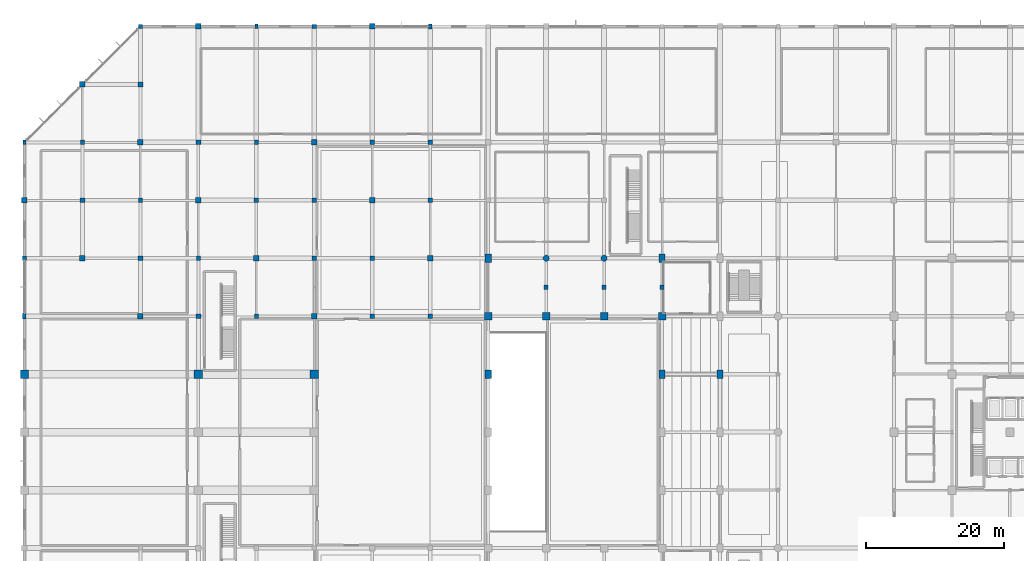
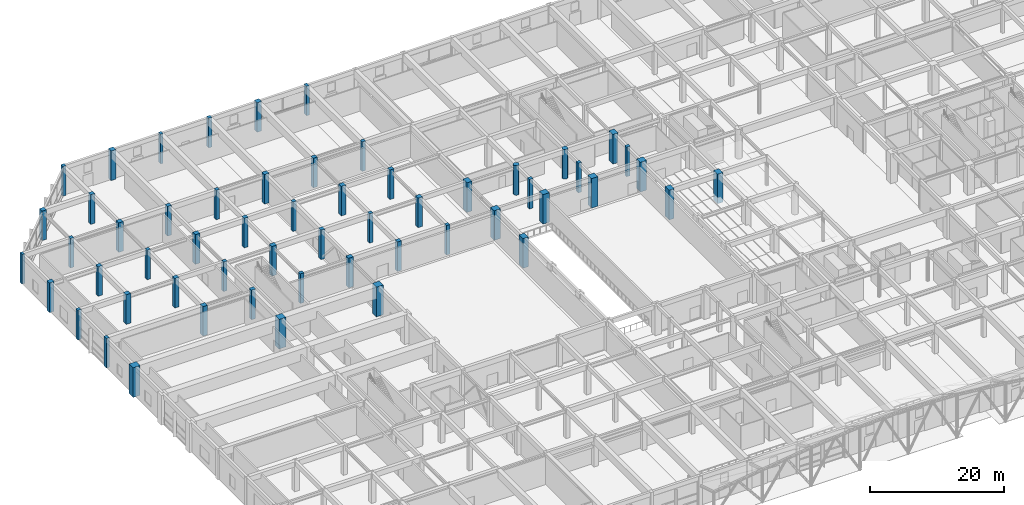
# One storey, part 3 of 62: 56 columns.
"""IFC4 building model written with IfcOpenShell, lengths in metres."""

from ifc_helpers import new_model, si_unit, direction, frame, origin, origin_2d, place, context, subcontext, project, spatial, rectangle, circle, extrude, material, material_profile, profile_set, type_object, element, save


model = new_model("IFC4")

# Units and contexts
model_context = context("Model", 3, precision=1e-05, world=origin(), true_north=direction((0.0, 1.0)))
body_context = subcontext(model_context, "Body", "Model", "MODEL_VIEW")
ifc_project = project(units=[si_unit("LENGTHUNIT", "METRE"), si_unit("AREAUNIT", "SQUARE_METRE"), si_unit("VOLUMEUNIT", "CUBIC_METRE"), si_unit("PLANEANGLEUNIT", "RADIAN"), si_unit("MASSUNIT", "GRAM", prefix="KILO")], contexts=[model_context])

# Site, building, storey
site_placement = place(None, origin())
site = spatial("IfcSite", under=ifc_project, at=site_placement, CompositionType="ELEMENT")
building_placement = place(site_placement, origin())
building = spatial("IfcBuilding", under=site, at=building_placement, Name="Xuanlan Plaza Opera House", CompositionType="ELEMENT")
storey_placement = place(building_placement, origin())
storey = spatial("IfcBuildingStorey", under=building, at=storey_placement, Name="L00", CompositionType="ELEMENT", Elevation=0.0)

# Columns
ifc_material_1 = material(Name="Concrete C60", Category="concrete")
ifc_material_profile_1 = material_profile(ifc_material_1, rectangle(XDim=1.199951171875, YDim=1.199951171875, at=origin_2d()), Name="RC-COL 1200x1200")
ifc_profile_set_1 = profile_set([ifc_material_profile_1], Name="Concrete C60")
column_type_1 = type_object("IfcColumnType", Name="STR-COL-C-02", PredefinedType="COLUMN", material=ifc_profile_set_1)
for number, where, z_axis, x_axis, name in (
    (1, (0.0, 67.199951171875, 0.0), (0.0, 0.0, 1.0), (1.0, 0.0, 0.0), "Column L00 1-I"),
    (2, (25.199951171875, 67.199951171875, 0.0), (0.0, 0.0, 1.0), (1.0, 0.0, 0.0), "Column L00 4-I"),
    (3, (42.0, 67.199951171875, 0.0), (0.0, 0.0, 1.0), (1.0, 0.0, 0.0), "Column L00 6-I"),
):
    element("IfcColumn", number, at=place(storey_placement, frame(where, z_axis=z_axis, x_axis=x_axis)), inside=storey, type_object=column_type_1, Name=name, PredefinedType="COLUMN", context=body_context, shape_type="SweptSolid", body=[
        extrude(rectangle(XDim=1.199951171875, YDim=1.199951171875, at=origin_2d()), origin(), (0.0, 0.0, 1.0), 5.39990234375),
    ])
ifc_material_2 = material(Name="Concrete C50", Category="concrete")
ifc_material_profile_2 = material_profile(ifc_material_2, rectangle(XDim=1.10009765625, YDim=1.10009765625, at=origin_2d()), Name="RC-COL 1100x1100")
ifc_profile_set_2 = profile_set([ifc_material_profile_2], Name="Concrete C50")
column_type_2 = type_object("IfcColumnType", Name="STR-COL-C-03", PredefinedType="COLUMN", material=ifc_profile_set_2)
for number, where, z_axis, x_axis, name in (
    (4, (67.199951171875, 75.60009765625, 0.0), (0.0, 0.0, 1.0), (1.0, 0.0, 0.0), "Column L00 9-J"),
    (5, (75.60009765625, 75.60009765625, 0.0), (0.0, 0.0, 1.0), (1.0, 0.0, 0.0), "Column L00 10-J"),
    (6, (84.0, 75.60009765625, 0.0), (0.0, 0.0, 1.0), (1.0, 0.0, 0.0), "Column L00 11-J"),
    (7, (92.39990234375, 75.60009765625, 0.0), (0.0, 0.0, 1.0), (1.0, 0.0, 0.0), "Column L00 12-J"),
):
    element("IfcColumn", number, at=place(storey_placement, frame(where, z_axis=z_axis, x_axis=x_axis)), inside=storey, type_object=column_type_2, Name=name, PredefinedType="COLUMN", context=body_context, shape_type="SweptSolid", body=[
        extrude(rectangle(XDim=1.10009765625, YDim=1.10009765625, at=origin_2d()), origin(), (0.0, 0.0, 1.0), 5.39990234375),
    ])
ifc_material_3 = material(Name="Concrete C40", Category="concrete")
ifc_material_profile_3 = material_profile(ifc_material_3, rectangle(XDim=0.800048828125, YDim=0.800048828125, at=origin_2d()), Name="RC-COL 800x800")
ifc_profile_set_3 = profile_set([ifc_material_profile_3], Name="Concrete C40")
column_type_3 = type_object("IfcColumnType", Name="STR-COL-C-06", PredefinedType="COLUMN", material=ifc_profile_set_3)
for number, where, z_axis, x_axis, name in (
    (8, (0.0, 92.39990234375, 0.0), (0.0, 0.0, 1.0), (1.0, 0.0, 0.0), "Column L00 1-L"),
    (9, (8.39990234375, 84.0, 0.0), (0.0, 0.0, 1.0), (1.0, 0.0, 0.0), "Column L00 2-K"),
    (10, (8.39990234375, 109.199951171875, 0.0), (0.0, 0.0, 1.0), (1.0, 0.0, 0.0), "Column L00 2-N"),
    (11, (16.800048828125, 75.60009765625, 0.0), (0.0, 0.0, 1.0), (1.0, 0.0, 0.0), "Column L00 3-J"),
    (12, (16.800048828125, 100.800048828125, 0.0), (0.0, 0.0, 1.0), (1.0, 0.0, 0.0), "Column L00 3-M"),
    (13, (25.199951171875, 92.39990234375, 0.0), (0.0, 0.0, 1.0), (1.0, 0.0, 0.0), "Column L00 4-L"),
    (14, (25.199951171875, 117.60009765625, 0.0), (0.0, 0.0, 1.0), (1.0, 0.0, 0.0), "Column L00 4-O"),
    (15, (33.60009765625, 84.0, 0.0), (0.0, 0.0, 1.0), (1.0, 0.0, 0.0), "Column L00 5-K"),
    (16, (42.0, 75.60009765625, 0.0), (0.0, 0.0, 1.0), (1.0, 0.0, 0.0), "Column L00 6-J"),
    (17, (42.0, 100.800048828125, 0.0), (0.0, 0.0, 1.0), (1.0, 0.0, 0.0), "Column L00 6-M"),
    (18, (50.39990234375, 92.39990234375, 0.0), (0.0, 0.0, 1.0), (1.0, 0.0, 0.0), "Column L00 7-L"),
    (19, (50.39990234375, 117.60009765625, 0.0), (0.0, 0.0, 1.0), (1.0, 0.0, 0.0), "Column L00 7-O"),
    (20, (58.800048828125, 84.0, 0.0), (0.0, 0.0, 1.0), (1.0, 0.0, 0.0), "Column L00 8-K"),
):
    element("IfcColumn", number, at=place(storey_placement, frame(where, z_axis=z_axis, x_axis=x_axis)), inside=storey, type_object=column_type_3, Name=name, PredefinedType="COLUMN", context=body_context, shape_type="SweptSolid", body=[
        extrude(rectangle(XDim=0.800048828125, YDim=0.800048828125, at=origin_2d()), origin(), (0.0, 0.0, 1.0), 5.39990234375),
    ])
ifc_material_profile_4 = material_profile(ifc_material_3, rectangle(XDim=0.699951171875, YDim=0.699951171875, at=origin_2d()), Name="RC-COL 700x700")
ifc_profile_set_4 = profile_set([ifc_material_profile_4], Name="Concrete C40")
column_type_4 = type_object("IfcColumnType", Name="STR-COL-C-07", PredefinedType="COLUMN", material=ifc_profile_set_4)
for number, where, z_axis, x_axis, name in (
    (21, (8.39990234375, 92.39990234375, 0.0), (0.0, 0.0, 1.0), (1.0, 0.0, 0.0), "Column L00 2-L"),
    (22, (16.800048828125, 84.0, 0.0), (0.0, 0.0, 1.0), (1.0, 0.0, 0.0), "Column L00 3-K"),
    (23, (16.800048828125, 109.199951171875, 0.0), (0.0, 0.0, 1.0), (1.0, 0.0, 0.0), "Column L00 3-N"),
    (24, (25.199951171875, 75.60009765625, 0.0), (0.0, 0.0, 1.0), (1.0, 0.0, 0.0), "Column L00 4-J"),
    (25, (25.199951171875, 100.800048828125, 0.0), (0.0, 0.0, 1.0), (1.0, 0.0, 0.0), "Column L00 4-M"),
    (26, (33.60009765625, 92.39990234375, 0.0), (0.0, 0.0, 1.0), (1.0, 0.0, 0.0), "Column L00 5-L"),
    (27, (42.0, 84.0, 0.0), (0.0, 0.0, 1.0), (1.0, 0.0, 0.0), "Column L00 6-K"),
    (28, (50.39990234375, 75.60009765625, 0.0), (0.0, 0.0, 1.0), (1.0, 0.0, 0.0), "Column L00 7-J"),
    (29, (50.39990234375, 100.800048828125, 0.0), (0.0, 0.0, 1.0), (1.0, 0.0, 0.0), "Column L00 7-M"),
    (30, (58.800048828125, 92.39990234375, 0.0), (0.0, 0.0, 1.0), (1.0, 0.0, 0.0), "Column L00 8-L"),
):
    element("IfcColumn", number, at=place(storey_placement, frame(where, z_axis=z_axis, x_axis=x_axis)), inside=storey, type_object=column_type_4, Name=name, PredefinedType="COLUMN", context=body_context, shape_type="SweptSolid", body=[
        extrude(rectangle(XDim=0.699951171875, YDim=0.699951171875, at=origin_2d()), origin(), (0.0, 0.0, 1.0), 5.39990234375),
    ])
ifc_material_profile_5 = material_profile(ifc_material_3, rectangle(XDim=0.60009765625, YDim=0.60009765625, at=origin_2d()), Name="RC-COL 600x600")
ifc_profile_set_5 = profile_set([ifc_material_profile_5], Name="Concrete C40")
column_type_5 = type_object("IfcColumnType", Name="STR-COL-C-08", PredefinedType="COLUMN", material=ifc_profile_set_5)
for number, where, z_axis, x_axis, name in (
    (31, (0.0, 84.0, 0.0), (0.0, 0.0, 1.0), (1.0, 0.0, 0.0), "Column L00 1-K"),
    (32, (8.39990234375, 100.800048828125, 0.0), (0.0, 0.0, 1.0), (1.0, 0.0, 0.0), "Column L00 2-M"),
    (33, (16.800048828125, 92.39990234375, 0.0), (0.0, 0.0, 1.0), (1.0, 0.0, 0.0), "Column L00 3-L"),
    (34, (16.800048828125, 117.60009765625, 0.0), (0.0, 0.0, 1.0), (1.0, 0.0, 0.0), "Column L00 3-O"),
    (35, (25.199951171875, 84.0, 0.0), (0.0, 0.0, 1.0), (1.0, 0.0, 0.0), "Column L00 4-K"),
    (36, (33.60009765625, 75.60009765625, 0.0), (0.0, 0.0, 1.0), (1.0, 0.0, 0.0), "Column L00 5-J"),
    (37, (33.60009765625, 100.800048828125, 0.0), (0.0, 0.0, 1.0), (1.0, 0.0, 0.0), "Column L00 5-M"),
    (38, (42.0, 92.39990234375, 0.0), (0.0, 0.0, 1.0), (1.0, 0.0, 0.0), "Column L00 6-L"),
    (39, (42.0, 117.60009765625, 0.0), (0.0, 0.0, 1.0), (1.0, 0.0, 0.0), "Column L00 6-O"),
    (40, (50.39990234375, 84.0, 0.0), (0.0, 0.0, 1.0), (1.0, 0.0, 0.0), "Column L00 7-K"),
    (41, (58.800048828125, 75.60009765625, 0.0), (0.0, 0.0, 1.0), (1.0, 0.0, 0.0), "Column L00 8-J"),
    (42, (58.800048828125, 100.800048828125, 0.0), (0.0, 0.0, 1.0), (1.0, 0.0, 0.0), "Column L00 8-M"),
    (43, (75.60009765625, 79.800048828125, 0.0), (0.0, 0.0, 1.0), (1.0, 0.0, 0.0), "Side Tier Support Column L00 N X75"),
    (44, (84.0, 79.800048828125, 0.0), (0.0, 0.0, 1.0), (1.0, 0.0, 0.0), "Side Tier Support Column L00 N X84"),
    (45, (92.39990234375, 79.800048828125, 0.0), (0.0, 0.0, 1.0), (1.0, 0.0, 0.0), "Side Tier Support Column L00 N X92"),
):
    element("IfcColumn", number, at=place(storey_placement, frame(where, z_axis=z_axis, x_axis=x_axis)), inside=storey, type_object=column_type_5, Name=name, PredefinedType="COLUMN", context=body_context, shape_type="SweptSolid", body=[
        extrude(rectangle(XDim=0.60009765625, YDim=0.60009765625, at=origin_2d()), origin(), (0.0, 0.0, 1.0), 5.39990234375),
    ])
ifc_material_profile_6 = material_profile(ifc_material_2, rectangle(XDim=0.89990234375, YDim=1.199951171875, at=origin_2d()), Name="RC-COL 900x1200")
ifc_profile_set_6 = profile_set([ifc_material_profile_6], Name="Concrete C50")
column_type_6 = type_object("IfcColumnType", Name="STR-COL-C-10", PredefinedType="COLUMN", material=ifc_profile_set_6)
for number, where, z_axis, x_axis, name in (
    (46, (67.199951171875, 67.199951171875, 0.0), (0.0, 0.0, 1.0), (1.0, 0.0, 0.0), "Column L00 9-I"),
    (47, (67.199951171875, 84.0, 0.0), (0.0, 0.0, 1.0), (1.0, 0.0, 0.0), "Column L00 9-K"),
    (48, (92.39990234375, 67.199951171875, 0.0), (0.0, 0.0, 1.0), (1.0, 0.0, 0.0), "Column L00 12-I"),
    (49, (92.39990234375, 84.0, 0.0), (0.0, 0.0, 1.0), (1.0, 0.0, 0.0), "Column L00 12-K"),
    (50, (100.800048828125, 67.199951171875, 0.0), (0.0, 0.0, 1.0), (1.0, 0.0, 0.0), "Column L00 13-I"),
):
    element("IfcColumn", number, at=place(storey_placement, frame(where, z_axis=z_axis, x_axis=x_axis)), inside=storey, type_object=column_type_6, Name=name, PredefinedType="COLUMN", context=body_context, shape_type="SweptSolid", body=[
        extrude(rectangle(XDim=0.89990234375, YDim=1.199951171875, at=origin_2d()), origin(), (0.0, 0.0, 1.0), 5.39990234375),
    ])
ifc_material_profile_7 = material_profile(ifc_material_3, circle(Radius=0.449951171875, at=origin_2d()), Name="RC-COL D900")
ifc_profile_set_7 = profile_set([ifc_material_profile_7], Name="Concrete C40")
column_type_7 = type_object("IfcColumnType", Name="STR-COL-C-12", PredefinedType="COLUMN", material=ifc_profile_set_7)
for number, where, z_axis, x_axis, name in (
    (51, (75.60009765625, 84.0, 0.0), (0.0, 0.0, 1.0), (1.0, 0.0, 0.0), "Column L00 10-K"),
    (52, (84.0, 84.0, 0.0), (0.0, 0.0, 1.0), (1.0, 0.0, 0.0), "Column L00 11-K"),
):
    element("IfcColumn", number, at=place(storey_placement, frame(where, z_axis=z_axis, x_axis=x_axis)), inside=storey, type_object=column_type_7, Name=name, PredefinedType="COLUMN", context=body_context, shape_type="SweptSolid", body=[
        extrude(circle(Radius=0.449951171875, at=origin_2d()), origin(), (0.0, 0.0, 1.0), 5.39990234375),
    ])
ifc_material_profile_8 = material_profile(ifc_material_3, rectangle(XDim=0.449951171875, YDim=0.64990234375, at=origin_2d()), Name="RC-PIL 450x650")
ifc_profile_set_8 = profile_set([ifc_material_profile_8], Name="Concrete C40")
column_type_8 = type_object("IfcColumnType", Name="STR-COL-PL-01", PredefinedType="PILASTER", material=ifc_profile_set_8)
for number, where, z_axis, x_axis, name in (
    (53, (0.0, 100.800048828125, 0.0), (0.0, 0.0, 1.0), (1.0, 0.0, 0.0), "Column L00 1-M"),
    (54, (33.60009765625, 117.60009765625, 0.0), (0.0, 0.0, 1.0), (1.0, 0.0, 0.0), "Column L00 5-O"),
):
    element("IfcColumn", number, at=place(storey_placement, frame(where, z_axis=z_axis, x_axis=x_axis)), inside=storey, type_object=column_type_8, Name=name, PredefinedType="PILASTER", context=body_context, shape_type="SweptSolid", body=[
        extrude(rectangle(XDim=0.449951171875, YDim=0.64990234375, at=origin_2d()), origin(), (0.0, 0.0, 1.0), 5.39990234375),
    ])
ifc_material_profile_9 = material_profile(ifc_material_3, rectangle(XDim=0.5, YDim=0.75, at=origin_2d()), Name="RC-PIL 500x750")
ifc_profile_set_9 = profile_set([ifc_material_profile_9], Name="Concrete C40")
column_type_9 = type_object("IfcColumnType", Name="STR-COL-PL-02", PredefinedType="PILASTER", material=ifc_profile_set_9)
for number, where, z_axis, x_axis, name in (
    (55, (0.0, 75.60009765625, 0.0), (0.0, 0.0, 1.0), (1.0, 0.0, 0.0), "Column L00 1-J"),
    (56, (58.800048828125, 117.60009765625, 0.0), (0.0, 0.0, 1.0), (1.0, 0.0, 0.0), "Column L00 8-O"),
):
    element("IfcColumn", number, at=place(storey_placement, frame(where, z_axis=z_axis, x_axis=x_axis)), inside=storey, type_object=column_type_9, Name=name, PredefinedType="PILASTER", context=body_context, shape_type="SweptSolid", body=[
        extrude(rectangle(XDim=0.5, YDim=0.75, at=origin_2d()), origin(), (0.0, 0.0, 1.0), 5.39990234375),
    ])

save(model, "model.ifc")
